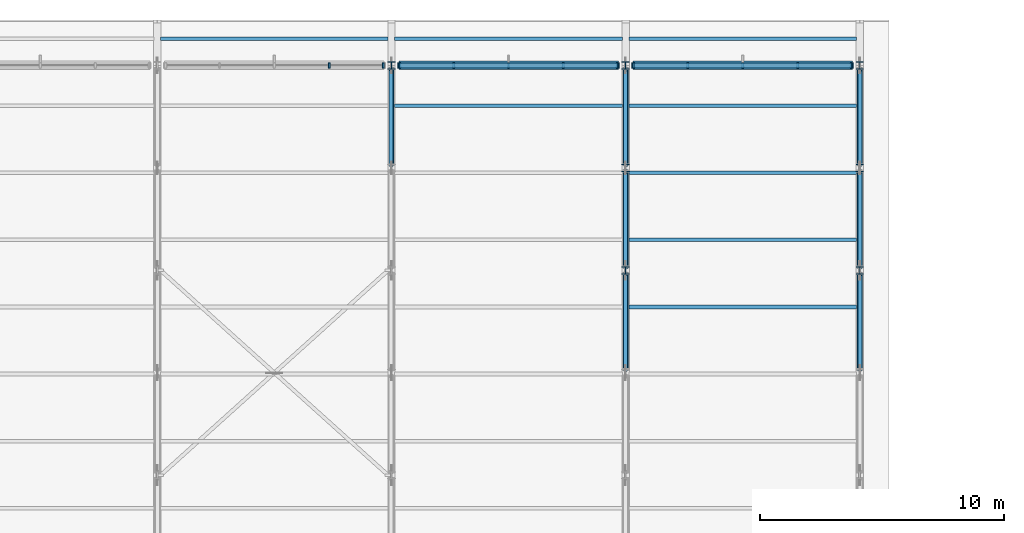
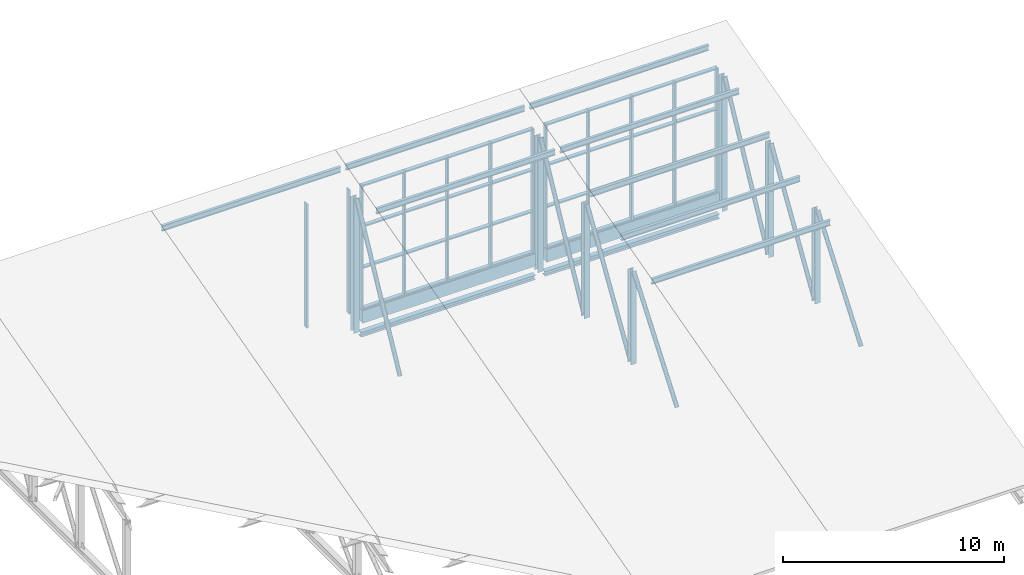
# One storey, part 8 of 37: 44 members, 2 beams, 3 elements without a shape of their own.
"""IFC4 building model written with IfcOpenShell, lengths in metres."""

import ifcopenshell
import ifcopenshell.guid

model = None  # the IFC model being written
_history = None  # IfcOwnerHistory: only IFC2X3 demands one
_inside = {}  # id of a spatial element -> (the spatial element, [elements in it])
_under = {}  # id of a project, library or spatial element -> (it, [spatial elements below it])
_declared = {}  # id of a project -> (the project, [libraries it declares])
_typed = {}  # id of a type object -> (the type object, [elements of that type])
_made_of = {}  # id of a material, layer set ... -> (it, [elements and type objects made of it])


def new_model(schema):
    """Start an empty IFC model of exactly this schema.

    Asked for "IFC4X3", IfcOpenShell would pick the latest addendum, in which some entities
    have other attributes; the version numbers below select the first issue.
    IFC2X3 requires an IfcOwnerHistory on every rooted entity: one is made here for all.
    """
    global model, _history
    if schema == "IFC4X3":
        model = ifcopenshell.file(schema_version=(4, 3, 0, 0))
    else:
        model = ifcopenshell.file(schema=schema)
    _inside.clear()
    _under.clear()
    _declared.clear()
    _typed.clear()
    _made_of.clear()
    _history = None
    if model.schema == "IFC2X3":
        org = make("IfcOrganization", Name="unknown")
        user = make(
            "IfcPersonAndOrganization",
            ThePerson=make("IfcPerson", FamilyName="unknown"),
            TheOrganization=org,
        )
        app = make(
            "IfcApplication",
            ApplicationDeveloper=org,
            Version="unknown",
            ApplicationFullName="unknown",
            ApplicationIdentifier="unknown",
        )
        _history = make(
            "IfcOwnerHistory",
            OwningUser=user,
            OwningApplication=app,
            ChangeAction="ADDED",
            CreationDate=0,
        )
    return model


def make(cls, **values):
    """One entity of the class cls with the attributes given. An attribute that is None is left unset."""
    return model.create_entity(
        cls, **{name: value for name, value in values.items() if value is not None}
    )


def rooted(cls, **values):
    """An entity with a GlobalId (a new one), such as an element, a storey or a relation."""
    return make(cls, GlobalId=ifcopenshell.guid.new(), OwnerHistory=_history, **values)


def si_unit(unit_type, name, prefix=None):
    """IfcSIUnit, for example si_unit("LENGTHUNIT", "METRE", prefix="MILLI")."""
    return make("IfcSIUnit", UnitType=unit_type, Prefix=prefix, Name=name)


def assignment(units):
    """IfcUnitAssignment: the units of a project."""
    return None if units is None else make("IfcUnitAssignment", Units=units)


def point(xyz):
    """IfcCartesianPoint."""
    return None if xyz is None else make("IfcCartesianPoint", Coordinates=xyz)


def direction(xyz):
    """IfcDirection."""
    return None if xyz is None else make("IfcDirection", DirectionRatios=xyz)


def frame(location, z_axis=None, x_axis=None):
    """IfcAxis2Placement3D, a coordinate frame: its origin and axes. An axis left out is left unset."""
    return make(
        "IfcAxis2Placement3D",
        Location=point(location),
        Axis=direction(z_axis),
        RefDirection=direction(x_axis),
    )


def frame_2d(location, x_axis=None):
    """IfcAxis2Placement2D, a coordinate frame in the plane: its origin and x axis."""
    return make(
        "IfcAxis2Placement2D", Location=point(location), RefDirection=direction(x_axis)
    )


def origin():
    """The frame at (0, 0, 0) with its axes left unset."""
    return frame((0.0, 0.0, 0.0))


def origin_2d():
    """The frame at (0, 0) in the plane with its x axis left unset."""
    return frame_2d((0.0, 0.0))


def place(relative_to, where):
    """IfcLocalPlacement: puts the frame where relative to a parent placement (None: the world)."""
    return make(
        "IfcLocalPlacement", PlacementRelTo=relative_to, RelativePlacement=where
    )


def context(
    kind, dimensions, precision=None, world=None, true_north=None, identifier=None
):
    """IfcGeometricRepresentationContext, for example the 3D "Model" context."""
    return make(
        "IfcGeometricRepresentationContext",
        ContextIdentifier=identifier,
        ContextType=kind,
        CoordinateSpaceDimension=dimensions,
        Precision=precision,
        WorldCoordinateSystem=world,
        TrueNorth=true_north,
    )


def subcontext(parent, identifier, kind, view, scale=None):
    """IfcGeometricRepresentationSubContext, for example "Body" below "Model"."""
    return make(
        "IfcGeometricRepresentationSubContext",
        ContextIdentifier=identifier,
        ContextType=kind,
        ParentContext=parent,
        TargetScale=scale,
        TargetView=view,
    )


def project(units=None, contexts=None):
    """IfcProject with its units and contexts."""
    return rooted(
        "IfcProject",
        Name="project",
        RepresentationContexts=contexts,
        UnitsInContext=assignment(units),
    )


def spatial(cls, under=None, at=None, **own):
    """A site, building, storey or space (cls), placed at a placement, below another one or the project."""
    s = rooted(cls, ObjectPlacement=at, **own)
    if under is not None:
        _under.setdefault(under.id(), (under, []))[1].append(s)
    return s


def profile(cls, at=None, kind="AREA", **sizes):
    """A parametric profile (cls). Its sizes go by their IFC names, for example OverallWidth=200.0."""
    return make(cls, ProfileType=kind, Position=at, **sizes)


def rectangle(**sizes):
    """IfcRectangleProfileDef."""
    return profile("IfcRectangleProfileDef", **sizes)


def hollow_circle(**sizes):
    """IfcCircleHollowProfileDef."""
    return profile("IfcCircleHollowProfileDef", **sizes)


def i_section(**sizes):
    """IfcIShapeProfileDef."""
    return profile("IfcIShapeProfileDef", **sizes)


def extrude(swept, where, along, depth):
    """IfcExtrudedAreaSolid: the profile swept, set in the frame where, extruded along a direction by depth."""
    return make(
        "IfcExtrudedAreaSolid",
        SweptArea=swept,
        Position=where,
        ExtrudedDirection=direction(along),
        Depth=depth,
    )


def shape(context_of_items, identifier, shape_type, items):
    """IfcShapeRepresentation: the items that make up one representation, for example the "Body"."""
    return make(
        "IfcShapeRepresentation",
        ContextOfItems=context_of_items,
        RepresentationIdentifier=identifier,
        RepresentationType=shape_type,
        Items=items,
    )


def material(Name=None, Category=None):
    """IfcMaterial."""
    return make("IfcMaterial", Name=Name, Category=Category)


def material_profile(
    of_material, cross_section, Name=None, Category=None, Priority=None
):
    """IfcMaterialProfile: a cross section and its material."""
    return make(
        "IfcMaterialProfile",
        Name=Name,
        Material=of_material,
        Profile=cross_section,
        Priority=Priority,
        Category=Category,
    )


def profile_set(profiles, Name=None, composite=None):
    """IfcMaterialProfileSet."""
    return make(
        "IfcMaterialProfileSet",
        Name=Name,
        MaterialProfiles=profiles,
        CompositeProfile=composite,
    )


def made_of(thing, what):
    """Note that an element or type object is made of a material, layer set ...; save() writes the relation."""
    if what is not None:
        _made_of.setdefault(what.id(), (what, []))[1].append(thing)
    return thing


def type_object(cls, material=None, **own):
    """A type object (cls), such as IfcWallType, which elements share."""
    return made_of(rooted(cls, **own), material)


def element(
    cls,
    number,
    at=None,
    inside=None,
    cuts=None,
    type_object=None,
    material=None,
    context=None,
    identifier="Body",
    shape_type=None,
    held_by="IfcProductDefinitionShape",
    body=None,
    shapes=None,
    **own,
):
    """One element of the class cls, such as IfcWall. Its Tag is "e" and its number.

    at: its placement. inside: the storey or other place that contains it. cuts: it is an
    opening in that element (IfcRelVoidsElement). A single representation is given by context,
    identifier, shape_type and body (its items); several are given by shapes. held_by: the class
    of the entity that holds the representations. save() writes the other relations.
    """
    e = rooted(cls, Tag="e%d" % number, ObjectPlacement=at, **own)
    if body is not None:
        shapes = [shape(context, identifier, shape_type, body)]
    if shapes is not None:
        e.Representation = make(held_by, Representations=shapes)
    if inside is not None:
        _inside.setdefault(inside.id(), (inside, []))[1].append(e)
    if cuts is not None:
        rooted(
            "IfcRelVoidsElement", RelatingBuildingElement=cuts, RelatedOpeningElement=e
        )
    if type_object is not None:
        _typed.setdefault(type_object.id(), (type_object, []))[1].append(e)
    return made_of(e, material)


def aggregate(whole, parts):
    """IfcRelAggregates: a whole, such as a stair, and the parts it consists of."""
    return rooted("IfcRelAggregates", RelatingObject=whole, RelatedObjects=parts)


def save(model, path):
    """Write the relations noted so far, then the file.

    IfcRelAggregates (storeys below a building ...), IfcRelContainedInSpatialStructure (elements
    in a storey), IfcRelDefinesByType, IfcRelAssociatesMaterial and IfcRelDeclares: one each for
    every whole, place, type object, material and project.
    """
    for whole, parts in _under.values():
        aggregate(whole, parts)
    for where, things in _inside.values():
        rooted(
            "IfcRelContainedInSpatialStructure",
            RelatedElements=things,
            RelatingStructure=where,
        )
    for kind, things in _typed.values():
        rooted("IfcRelDefinesByType", RelatedObjects=things, RelatingType=kind)
    for what, things in _made_of.values():
        rooted("IfcRelAssociatesMaterial", RelatedObjects=things, RelatingMaterial=what)
    for by, libraries in _declared.values():
        rooted("IfcRelDeclares", RelatingContext=by, RelatedDefinitions=libraries)
    model.write(path)


model = new_model("IFC4")

# Units and contexts
model_context = context("Model", 3, precision=1e-05, world=origin(), true_north=direction((0.0, 1.0)))
body_context = subcontext(model_context, "Body", "Model", "MODEL_VIEW")
ifc_project = project(units=[si_unit("LENGTHUNIT", "METRE"), si_unit("AREAUNIT", "SQUARE_METRE"), si_unit("VOLUMEUNIT", "CUBIC_METRE"), si_unit("PLANEANGLEUNIT", "RADIAN"), si_unit("MASSUNIT", "GRAM", prefix="KILO")], contexts=[model_context])

# Site, building, storey
site_placement = place(None, origin())
site = spatial("IfcSite", under=ifc_project, at=site_placement, CompositionType="ELEMENT")
building_placement = place(site_placement, origin())
building = spatial("IfcBuilding", under=site, at=building_placement, Name="Shalvenor Court Art Gallery", CompositionType="ELEMENT")
storey_placement = place(building_placement, frame((0.0, 0.0, 22.199951171875)))
storey = spatial("IfcBuildingStorey", under=building, at=storey_placement, Name="L04", CompositionType="ELEMENT", Elevation=22.199951171875)

# Curtain wall, members
ifc_material_1 = material(Name="Anodised aluminium and low-iron glass curtain wall", Category="aluminium")
curtain_wall_type = type_object("IfcCurtainWallType", Name="CW-NL-V2", PredefinedType="USERDEFINED", material=ifc_material_1)
curtain_wall_1_placement = place(storey_placement, origin())
curtain_wall_1 = element("IfcCurtainWall", 1, at=curtain_wall_1_placement, inside=storey, type_object=curtain_wall_type, Name="L04 V2 North Light Clerestory 5", ObjectType="CURTAIN WALL", PredefinedType="USERDEFINED")
ifc_material_2 = material(Name="Dark anodised bronze aluminium mullion", Category="aluminium")
ifc_material_profile_1 = material_profile(ifc_material_2, rectangle(XDim=0.080078125, YDim=0.239990234375, at=origin_2d()), Name="CWM-05")
ifc_profile_set_1 = profile_set([ifc_material_profile_1], Name="Dark anodised bronze aluminium mullion")
member_type_1 = type_object("IfcMemberType", Name="CWM-05", PredefinedType="MULLION", material=ifc_profile_set_1)
member_1_placement = place(storey_placement, frame((103.050048828125, 122.39990234375, 0.0), z_axis=(0.0, 0.0, 1.0), x_axis=(1.0, 0.0, 0.0)))
member_1 = element("IfcMember", 2, at=member_1_placement, type_object=member_type_1, Name="CW-NL-V2 mullion 4", PredefinedType="MULLION", context=body_context, shape_type="SweptSolid", body=[
    extrude(rectangle(XDim=0.080078125, YDim=0.239990234375, at=origin_2d()), origin(), (0.0, 0.0, 1.0), 6.85009765625),
])
member_2_placement = place(storey_placement, frame((105.260009765625, 122.39990234375, 0.0), z_axis=(0.0, 0.0, 1.0), x_axis=(1.0, 0.0, 0.0)))
member_2 = element("IfcMember", 3, at=member_2_placement, type_object=member_type_1, Name="CW-NL-V2 mullion 5", PredefinedType="MULLION", context=body_context, shape_type="SweptSolid", body=[
    extrude(rectangle(XDim=0.080078125, YDim=0.239990234375, at=origin_2d()), origin(), (0.0, 0.0, 1.0), 6.85009765625),
])
aggregate(curtain_wall_1, [member_1, member_2])

curtain_wall_2_placement = place(storey_placement, origin())
curtain_wall_2 = element("IfcCurtainWall", 4, at=curtain_wall_2_placement, inside=storey, type_object=curtain_wall_type, Name="L04 V2 North Light Clerestory 6", ObjectType="CURTAIN WALL", PredefinedType="USERDEFINED")
member_3_placement = place(storey_placement, frame((105.93994140625, 122.39990234375, 0.0), z_axis=(0.0, 0.0, 1.0), x_axis=(1.0, 0.0, 0.0)))
member_3 = element("IfcMember", 5, at=member_3_placement, type_object=member_type_1, Name="CW-NL-V2 mullion 1", PredefinedType="MULLION", context=body_context, shape_type="SweptSolid", body=[
    extrude(rectangle(XDim=0.080078125, YDim=0.239990234375, at=origin_2d()), origin(), (0.0, 0.0, 1.0), 6.85009765625),
])
member_4_placement = place(storey_placement, frame((108.14990234375, 122.39990234375, 0.0), z_axis=(0.0, 0.0, 1.0), x_axis=(1.0, 0.0, 0.0)))
member_4 = element("IfcMember", 6, at=member_4_placement, type_object=member_type_1, Name="CW-NL-V2 mullion 2", PredefinedType="MULLION", context=body_context, shape_type="SweptSolid", body=[
    extrude(rectangle(XDim=0.080078125, YDim=0.239990234375, at=origin_2d()), origin(), (0.0, 0.0, 1.0), 6.85009765625),
])
member_5_placement = place(storey_placement, frame((110.39990234375, 122.39990234375, 0.0), z_axis=(0.0, 0.0, 1.0), x_axis=(1.0, 0.0, 0.0)))
member_5 = element("IfcMember", 7, at=member_5_placement, type_object=member_type_1, Name="CW-NL-V2 mullion 3", PredefinedType="MULLION", context=body_context, shape_type="SweptSolid", body=[
    extrude(rectangle(XDim=0.080078125, YDim=0.239990234375, at=origin_2d()), origin(), (0.0, 0.0, 1.0), 6.85009765625),
])
member_6_placement = place(storey_placement, frame((112.64990234375, 122.39990234375, 0.0), z_axis=(0.0, 0.0, 1.0), x_axis=(1.0, 0.0, 0.0)))
member_6 = element("IfcMember", 8, at=member_6_placement, type_object=member_type_1, Name="CW-NL-V2 mullion 4", PredefinedType="MULLION", context=body_context, shape_type="SweptSolid", body=[
    extrude(rectangle(XDim=0.080078125, YDim=0.239990234375, at=origin_2d()), origin(), (0.0, 0.0, 1.0), 6.85009765625),
])
member_7_placement = place(storey_placement, frame((114.860107421875, 122.39990234375, 0.0), z_axis=(0.0, 0.0, 1.0), x_axis=(1.0, 0.0, 0.0)))
member_7 = element("IfcMember", 9, at=member_7_placement, type_object=member_type_1, Name="CW-NL-V2 mullion 5", PredefinedType="MULLION", context=body_context, shape_type="SweptSolid", body=[
    extrude(rectangle(XDim=0.080078125, YDim=0.239990234375, at=origin_2d()), origin(), (0.0, 0.0, 1.0), 6.85009765625),
])

curtain_wall_3_placement = place(storey_placement, origin())
curtain_wall_3 = element("IfcCurtainWall", 10, at=curtain_wall_3_placement, inside=storey, type_object=curtain_wall_type, Name="L04 V2 North Light Clerestory 7", ObjectType="CURTAIN WALL", PredefinedType="USERDEFINED")
member_8_placement = place(storey_placement, frame((115.5400390625, 122.39990234375, 0.0), z_axis=(0.0, 0.0, 1.0), x_axis=(1.0, 0.0, 0.0)))
member_8 = element("IfcMember", 11, at=member_8_placement, type_object=member_type_1, Name="CW-NL-V2 mullion 1", PredefinedType="MULLION", context=body_context, shape_type="SweptSolid", body=[
    extrude(rectangle(XDim=0.080078125, YDim=0.239990234375, at=origin_2d()), origin(), (0.0, 0.0, 1.0), 6.85009765625),
])
member_9_placement = place(storey_placement, frame((117.75, 122.39990234375, 0.0), z_axis=(0.0, 0.0, 1.0), x_axis=(1.0, 0.0, 0.0)))
member_9 = element("IfcMember", 12, at=member_9_placement, type_object=member_type_1, Name="CW-NL-V2 mullion 2", PredefinedType="MULLION", context=body_context, shape_type="SweptSolid", body=[
    extrude(rectangle(XDim=0.080078125, YDim=0.239990234375, at=origin_2d()), origin(), (0.0, 0.0, 1.0), 6.85009765625),
])
member_10_placement = place(storey_placement, frame((120.0, 122.39990234375, 0.0), z_axis=(0.0, 0.0, 1.0), x_axis=(1.0, 0.0, 0.0)))
member_10 = element("IfcMember", 13, at=member_10_placement, type_object=member_type_1, Name="CW-NL-V2 mullion 3", PredefinedType="MULLION", context=body_context, shape_type="SweptSolid", body=[
    extrude(rectangle(XDim=0.080078125, YDim=0.239990234375, at=origin_2d()), origin(), (0.0, 0.0, 1.0), 6.85009765625),
])
member_11_placement = place(storey_placement, frame((122.25, 122.39990234375, 0.0), z_axis=(0.0, 0.0, 1.0), x_axis=(1.0, 0.0, 0.0)))
member_11 = element("IfcMember", 14, at=member_11_placement, type_object=member_type_1, Name="CW-NL-V2 mullion 4", PredefinedType="MULLION", context=body_context, shape_type="SweptSolid", body=[
    extrude(rectangle(XDim=0.080078125, YDim=0.239990234375, at=origin_2d()), origin(), (0.0, 0.0, 1.0), 6.85009765625),
])
member_12_placement = place(storey_placement, frame((124.4599609375, 122.39990234375, 0.0), z_axis=(0.0, 0.0, 1.0), x_axis=(1.0, 0.0, 0.0)))
member_12 = element("IfcMember", 15, at=member_12_placement, type_object=member_type_1, Name="CW-NL-V2 mullion 5", PredefinedType="MULLION", context=body_context, shape_type="SweptSolid", body=[
    extrude(rectangle(XDim=0.080078125, YDim=0.239990234375, at=origin_2d()), origin(), (0.0, 0.0, 1.0), 6.85009765625),
])

# Member
ifc_material_3 = material(Name="Dark anodised bronze aluminium transom", Category="aluminium")
ifc_material_profile_2 = material_profile(ifc_material_3, rectangle(XDim=0.2099609375, YDim=0.074951171875, at=origin_2d()), Name="CWT-05")
ifc_profile_set_2 = profile_set([ifc_material_profile_2], Name="Dark anodised bronze aluminium transom")
member_type_2 = type_object("IfcMemberType", Name="CWT-05", PredefinedType="USERDEFINED", material=ifc_profile_set_2)
member_13_placement = place(storey_placement, frame((105.93994140625, 122.39990234375, 0.03759765625), z_axis=(1.0, 0.0, 0.0), x_axis=(0.0, 1.0, 0.0)))
member_13 = element("IfcMember", 16, at=member_13_placement, type_object=member_type_2, Name="CW-NL-V2 transom 1", ObjectType="TRANSOM", PredefinedType="USERDEFINED", context=body_context, shape_type="SweptSolid", body=[
    extrude(rectangle(XDim=0.2099609375, YDim=0.074951171875, at=origin_2d()), origin(), (0.0, 0.0, 1.0), 8.920166015625),
])

member_14_placement = place(storey_placement, frame((105.93994140625, 122.39990234375, 2.283447265625), z_axis=(1.0, 0.0, 0.0), x_axis=(0.0, 1.0, 0.0)))
member_14 = element("IfcMember", 17, at=member_14_placement, type_object=member_type_2, Name="CW-NL-V2 transom 2", ObjectType="TRANSOM", PredefinedType="USERDEFINED", context=body_context, shape_type="SweptSolid", body=[
    extrude(rectangle(XDim=0.2099609375, YDim=0.074951171875, at=origin_2d()), origin(), (0.0, 0.0, 1.0), 8.920166015625),
])

member_15_placement = place(storey_placement, frame((105.93994140625, 122.39990234375, 4.566650390625), z_axis=(1.0, 0.0, 0.0), x_axis=(0.0, 1.0, 0.0)))
member_15 = element("IfcMember", 18, at=member_15_placement, type_object=member_type_2, Name="CW-NL-V2 transom 3", ObjectType="TRANSOM", PredefinedType="USERDEFINED", context=body_context, shape_type="SweptSolid", body=[
    extrude(rectangle(XDim=0.2099609375, YDim=0.074951171875, at=origin_2d()), origin(), (0.0, 0.0, 1.0), 8.920166015625),
])

member_16_placement = place(storey_placement, frame((105.93994140625, 122.39990234375, 6.8125), z_axis=(1.0, 0.0, 0.0), x_axis=(0.0, 1.0, 0.0)))
member_16 = element("IfcMember", 19, at=member_16_placement, type_object=member_type_2, Name="CW-NL-V2 transom 4", ObjectType="TRANSOM", PredefinedType="USERDEFINED", context=body_context, shape_type="SweptSolid", body=[
    extrude(rectangle(XDim=0.2099609375, YDim=0.074951171875, at=origin_2d()), origin(), (0.0, 0.0, 1.0), 8.920166015625),
])

aggregate(curtain_wall_2, [member_3, member_4, member_5, member_6, member_7, member_13, member_14, member_15, member_16])

member_17_placement = place(storey_placement, frame((115.5400390625, 122.39990234375, 0.03759765625), z_axis=(1.0, 0.0, 0.0), x_axis=(0.0, 1.0, 0.0)))
member_17 = element("IfcMember", 20, at=member_17_placement, type_object=member_type_2, Name="CW-NL-V2 transom 1", ObjectType="TRANSOM", PredefinedType="USERDEFINED", context=body_context, shape_type="SweptSolid", body=[
    extrude(rectangle(XDim=0.2099609375, YDim=0.074951171875, at=origin_2d()), origin(), (0.0, 0.0, 1.0), 8.919921875),
])

member_18_placement = place(storey_placement, frame((115.5400390625, 122.39990234375, 2.283447265625), z_axis=(1.0, 0.0, 0.0), x_axis=(0.0, 1.0, 0.0)))
member_18 = element("IfcMember", 21, at=member_18_placement, type_object=member_type_2, Name="CW-NL-V2 transom 2", ObjectType="TRANSOM", PredefinedType="USERDEFINED", context=body_context, shape_type="SweptSolid", body=[
    extrude(rectangle(XDim=0.2099609375, YDim=0.074951171875, at=origin_2d()), origin(), (0.0, 0.0, 1.0), 8.919921875),
])

member_19_placement = place(storey_placement, frame((115.5400390625, 122.39990234375, 4.566650390625), z_axis=(1.0, 0.0, 0.0), x_axis=(0.0, 1.0, 0.0)))
member_19 = element("IfcMember", 22, at=member_19_placement, type_object=member_type_2, Name="CW-NL-V2 transom 3", ObjectType="TRANSOM", PredefinedType="USERDEFINED", context=body_context, shape_type="SweptSolid", body=[
    extrude(rectangle(XDim=0.2099609375, YDim=0.074951171875, at=origin_2d()), origin(), (0.0, 0.0, 1.0), 8.919921875),
])

member_20_placement = place(storey_placement, frame((115.5400390625, 122.39990234375, 6.8125), z_axis=(1.0, 0.0, 0.0), x_axis=(0.0, 1.0, 0.0)))
member_20 = element("IfcMember", 23, at=member_20_placement, type_object=member_type_2, Name="CW-NL-V2 transom 4", ObjectType="TRANSOM", PredefinedType="USERDEFINED", context=body_context, shape_type="SweptSolid", body=[
    extrude(rectangle(XDim=0.2099609375, YDim=0.074951171875, at=origin_2d()), origin(), (0.0, 0.0, 1.0), 8.919921875),
])

aggregate(curtain_wall_3, [member_8, member_9, member_10, member_11, member_12, member_17, member_18, member_19, member_20])

# Members
ifc_material_4 = material(Name="Steel S355", Category="steel")
ifc_material_profile_3 = material_profile(ifc_material_4, i_section(OverallWidth=0.14990234375, OverallDepth=0.300048828125, WebThickness=0.007080078125, FlangeThickness=0.0107421875, at=origin_2d()), Name="IPE 300")
ifc_profile_set_3 = profile_set([ifc_material_profile_3], Name="Steel S355")
member_type_3 = type_object("IfcMemberType", Name="PR-01", PredefinedType="PURLIN", material=ifc_profile_set_3)
member_21_placement = place(storey_placement, frame((105.735107421875, 120.75, 6.459228515625), z_axis=(1.0, 0.0, 0.0), x_axis=(0.0, 1.0, 0.0)))
element("IfcMember", 24, at=member_21_placement, inside=storey, type_object=member_type_3, Name="L04 V2 Roof Purlin 6.10", PredefinedType="PURLIN", context=body_context, shape_type="SweptSolid", body=[
    extrude(i_section(OverallWidth=0.14990234375, OverallDepth=0.300048828125, WebThickness=0.007080078125, FlangeThickness=0.0107421875, at=origin_2d()), origin(), (0.0, 0.0, 1.0), 9.329833984375),
])
for number, where, z_axis, x_axis, name in (
    (25, (115.3349609375, 112.5, 4.224853515625), (1.0, 0.0, 0.0), (0.0, 1.0, 0.0), "L04 V2 Roof Purlin 7.7"),
    (26, (115.3349609375, 115.25, 4.9697265625), (1.0, 0.0, 0.0), (0.0, 1.0, 0.0), "L04 V2 Roof Purlin 7.8"),
    (27, (115.3349609375, 118.0, 5.714599609375), (1.0, 0.0, 0.0), (0.0, 1.0, 0.0), "L04 V2 Roof Purlin 7.9"),
    (28, (115.3349609375, 120.75, 6.459228515625), (1.0, 0.0, 0.0), (0.0, 1.0, 0.0), "L04 V2 Roof Purlin 7.10"),
):
    element("IfcMember", number, at=place(storey_placement, frame(where, z_axis=z_axis, x_axis=x_axis)), inside=storey, type_object=member_type_3, Name=name, PredefinedType="PURLIN", context=body_context, shape_type="SweptSolid", body=[
        extrude(i_section(OverallWidth=0.14990234375, OverallDepth=0.300048828125, WebThickness=0.007080078125, FlangeThickness=0.0107421875, at=origin_2d()), origin(), (0.0, 0.0, 1.0), 9.330078125),
    ])
ifc_material_5 = material(Name="Steel S355", Category="steel")
ifc_material_profile_4 = material_profile(ifc_material_5, i_section(OverallWidth=0.14990234375, OverallDepth=0.300048828125, WebThickness=0.007080078125, FlangeThickness=0.0107421875, at=origin_2d()), Name="IPE 300")
ifc_profile_set_4 = profile_set([ifc_material_profile_4], Name="Steel S355")
member_type_4 = type_object("IfcMemberType", Name="PR-03", PredefinedType="PURLIN", material=ifc_profile_set_4)
member_22_placement = place(storey_placement, frame((96.135009765625, 123.5, 7.2041015625), z_axis=(1.0, 0.0, 0.0), x_axis=(0.0, 1.0, 0.0)))
element("IfcMember", 29, at=member_22_placement, inside=storey, type_object=member_type_4, Name="L04 V2 Roof Purlin 5.11", PredefinedType="PURLIN", context=body_context, shape_type="SweptSolid", body=[
    extrude(i_section(OverallWidth=0.14990234375, OverallDepth=0.300048828125, WebThickness=0.007080078125, FlangeThickness=0.0107421875, at=origin_2d()), origin(), (0.0, 0.0, 1.0), 9.330078125),
])
member_23_placement = place(storey_placement, frame((105.735107421875, 123.5, 7.2041015625), z_axis=(1.0, 0.0, 0.0), x_axis=(0.0, 1.0, 0.0)))
element("IfcMember", 30, at=member_23_placement, inside=storey, type_object=member_type_4, Name="L04 V2 Roof Purlin 6.11", PredefinedType="PURLIN", context=body_context, shape_type="SweptSolid", body=[
    extrude(i_section(OverallWidth=0.14990234375, OverallDepth=0.300048828125, WebThickness=0.007080078125, FlangeThickness=0.0107421875, at=origin_2d()), origin(), (0.0, 0.0, 1.0), 9.329833984375),
])
member_24_placement = place(storey_placement, frame((115.3349609375, 123.5, 7.2041015625), z_axis=(1.0, 0.0, 0.0), x_axis=(0.0, 1.0, 0.0)))
element("IfcMember", 31, at=member_24_placement, inside=storey, type_object=member_type_4, Name="L04 V2 Roof Purlin 7.11", PredefinedType="PURLIN", context=body_context, shape_type="SweptSolid", body=[
    extrude(i_section(OverallWidth=0.14990234375, OverallDepth=0.300048828125, WebThickness=0.007080078125, FlangeThickness=0.0107421875, at=origin_2d()), origin(), (0.0, 0.0, 1.0), 9.330078125),
])

# Beams
ifc_material_6 = material(Name="Concrete C40/50", Category="concrete")
ifc_material_profile_5 = material_profile(ifc_material_6, rectangle(XDim=0.35009765625, YDim=0.699951171875, at=origin_2d()), Name="RC 350x700")
ifc_profile_set_5 = profile_set([ifc_material_profile_5], Name="Concrete C40/50")
beam_type = type_object("IfcBeamType", Name="SP-01", PredefinedType="SPANDREL", material=ifc_profile_set_5)
for number, where, z_axis, x_axis, name in (
    (32, (105.89990234375, 122.39990234375, -0.349853515625), (1.0, 0.0, 0.0), (0.0, 1.0, 0.0), "L04 Spandrel Girder BM-L04-SP-01-1253"),
    (33, (115.5, 122.39990234375, -0.349853515625), (1.0, 0.0, 0.0), (0.0, 1.0, 0.0), "L04 Spandrel Girder BM-L04-SP-01-1254"),
):
    element("IfcBeam", number, at=place(storey_placement, frame(where, z_axis=z_axis, x_axis=x_axis)), inside=storey, type_object=beam_type, Name=name, PredefinedType="SPANDREL", context=body_context, shape_type="SweptSolid", body=[
        extrude(rectangle(XDim=0.35009765625, YDim=0.699951171875, at=origin_2d()), origin(), (0.0, 0.0, 1.0), 9.0),
    ])

# Members
ifc_material_7 = material(Name="Steel S355", Category="steel")
ifc_material_profile_6 = material_profile(ifc_material_7, i_section(OverallWidth=0.260009765625, OverallDepth=0.260009765625, WebThickness=0.010009765625, FlangeThickness=0.017578125, at=origin_2d()), Name="HEB 260")
ifc_profile_set_6 = profile_set([ifc_material_profile_6], Name="Steel S355")
member_type_5 = type_object("IfcMemberType", Name="TM-C1", PredefinedType="CHORD", material=ifc_profile_set_6)
member_25_placement = place(storey_placement, frame((105.85009765625, 122.39990234375, -1.349853515625), z_axis=(1.0, 0.0, 0.0), x_axis=(0.0, 1.0, 0.0)))
element("IfcMember", 34, at=member_25_placement, inside=storey, type_object=member_type_5, Name="L04 V2 Eave Truss Chord Tie 6.2", PredefinedType="CHORD", context=body_context, shape_type="SweptSolid", body=[
    extrude(i_section(OverallWidth=0.260009765625, OverallDepth=0.260009765625, WebThickness=0.010009765625, FlangeThickness=0.017578125, at=origin_2d()), origin(), (0.0, 0.0, 1.0), 9.099853515625),
])
member_26_placement = place(storey_placement, frame((115.449951171875, 122.39990234375, -1.349853515625), z_axis=(1.0, 0.0, 0.0), x_axis=(0.0, 1.0, 0.0)))
element("IfcMember", 35, at=member_26_placement, inside=storey, type_object=member_type_5, Name="L04 V2 Eave Truss Chord Tie 7.2", PredefinedType="CHORD", context=body_context, shape_type="SweptSolid", body=[
    extrude(i_section(OverallWidth=0.260009765625, OverallDepth=0.260009765625, WebThickness=0.010009765625, FlangeThickness=0.017578125, at=origin_2d()), origin(), (0.0, 0.0, 1.0), 9.10009765625),
])
ifc_material_8 = material(Name="Steel S355", Category="steel")
ifc_material_profile_7 = material_profile(ifc_material_8, hollow_circle(Radius=0.109619140625, WallThickness=0.010009765625, at=origin_2d()), Name="CHS 219.1x10.0")
ifc_profile_set_7 = profile_set([ifc_material_profile_7], Name="Steel S355")
member_type_6 = type_object("IfcMemberType", Name="TM-D1", PredefinedType="BRACE", material=ifc_profile_set_7)
member_27_placement = place(storey_placement, frame((105.60009765625, 118.340087890625, -1.135009765625), z_axis=(0.0, 0.467153650575, 0.884176151428), x_axis=(-1.0, 0.0, 0.0)))
element("IfcMember", 36, at=member_27_placement, inside=storey, type_object=member_type_6, Name="TR-V2-06 Roof Truss Diagonal 6", PredefinedType="BRACE", context=body_context, shape_type="SweptSolid", body=[
    extrude(hollow_circle(Radius=0.109619140625, WallThickness=0.010009765625, at=origin_2d()), origin(), (0.0, 0.0, 1.0), 8.39111328125),
])
member_28_placement = place(storey_placement, frame((115.199951171875, 109.93994140625, -1.135009765625), z_axis=(0.0, 0.606112588318, 0.79537885959), x_axis=(-1.0, 0.0, 0.0)))
element("IfcMember", 37, at=member_28_placement, inside=storey, type_object=member_type_6, Name="TR-V2-07 Roof Truss Diagonal 4", PredefinedType="BRACE", context=body_context, shape_type="SweptSolid", body=[
    extrude(hollow_circle(Radius=0.109619140625, WallThickness=0.010009765625, at=origin_2d()), origin(), (0.0, 0.0, 1.0), 6.4677734375),
])
member_29_placement = place(storey_placement, frame((115.199951171875, 114.139892578125, -1.135009765625), z_axis=(0.0, 0.529423853973, 0.848357461713), x_axis=(-1.0, 0.0, 0.0)))
element("IfcMember", 38, at=member_29_placement, inside=storey, type_object=member_type_6, Name="TR-V2-07 Roof Truss Diagonal 5", PredefinedType="BRACE", context=body_context, shape_type="SweptSolid", body=[
    extrude(hollow_circle(Radius=0.109619140625, WallThickness=0.010009765625, at=origin_2d()), origin(), (0.0, 0.0, 1.0), 7.404541015625),
])
member_30_placement = place(storey_placement, frame((115.199951171875, 118.340087890625, -1.135009765625), z_axis=(0.0, 0.467153650575, 0.884176151428), x_axis=(-1.0, 0.0, 0.0)))
element("IfcMember", 39, at=member_30_placement, inside=storey, type_object=member_type_6, Name="TR-V2-07 Roof Truss Diagonal 6", PredefinedType="BRACE", context=body_context, shape_type="SweptSolid", body=[
    extrude(hollow_circle(Radius=0.109619140625, WallThickness=0.010009765625, at=origin_2d()), origin(), (0.0, 0.0, 1.0), 8.39111328125),
])
member_31_placement = place(storey_placement, frame((124.800048828125, 109.93994140625, -1.135009765625), z_axis=(0.0, 0.606112588318, 0.79537885959), x_axis=(-1.0, 0.0, 0.0)))
element("IfcMember", 40, at=member_31_placement, inside=storey, type_object=member_type_6, Name="TR-V2-08 Roof Truss Diagonal 4", PredefinedType="BRACE", context=body_context, shape_type="SweptSolid", body=[
    extrude(hollow_circle(Radius=0.109619140625, WallThickness=0.010009765625, at=origin_2d()), origin(), (0.0, 0.0, 1.0), 6.4677734375),
])
member_32_placement = place(storey_placement, frame((124.800048828125, 114.139892578125, -1.135009765625), z_axis=(0.0, 0.529423853973, 0.848357461713), x_axis=(-1.0, 0.0, 0.0)))
element("IfcMember", 41, at=member_32_placement, inside=storey, type_object=member_type_6, Name="TR-V2-08 Roof Truss Diagonal 5", PredefinedType="BRACE", context=body_context, shape_type="SweptSolid", body=[
    extrude(hollow_circle(Radius=0.109619140625, WallThickness=0.010009765625, at=origin_2d()), origin(), (0.0, 0.0, 1.0), 7.404541015625),
])
member_33_placement = place(storey_placement, frame((124.800048828125, 118.340087890625, -1.135009765625), z_axis=(0.0, 0.467153650575, 0.884176151428), x_axis=(-1.0, 0.0, 0.0)))
element("IfcMember", 42, at=member_33_placement, inside=storey, type_object=member_type_6, Name="TR-V2-08 Roof Truss Diagonal 6", PredefinedType="BRACE", context=body_context, shape_type="SweptSolid", body=[
    extrude(hollow_circle(Radius=0.109619140625, WallThickness=0.010009765625, at=origin_2d()), origin(), (0.0, 0.0, 1.0), 8.39111328125),
])
ifc_material_9 = material(Name="Steel S355", Category="steel")
ifc_material_profile_8 = material_profile(ifc_material_9, i_section(OverallWidth=0.300048828125, OverallDepth=0.300048828125, WebThickness=0.010986328125, FlangeThickness=0.01904296875, at=origin_2d()), Name="HEB 300")
ifc_profile_set_8 = profile_set([ifc_material_profile_8], Name="Steel S355")
member_type_7 = type_object("IfcMemberType", Name="TM-V2", PredefinedType="STRUT", material=ifc_profile_set_8)
member_34_placement = place(storey_placement, frame((105.60009765625, 122.39990234375, -1.1298828125), z_axis=(0.0, 0.0, 1.0), x_axis=(1.0, 0.0, 0.0)))
element("IfcMember", 43, at=member_34_placement, inside=storey, type_object=member_type_7, Name="TR-V2-06 Roof Truss Vertical 7", PredefinedType="STRUT", context=body_context, shape_type="SweptSolid", body=[
    extrude(i_section(OverallWidth=0.300048828125, OverallDepth=0.300048828125, WebThickness=0.010986328125, FlangeThickness=0.01904296875, at=origin_2d()), origin(), (0.0, 0.0, 1.0), 7.4091796875),
])
member_35_placement = place(storey_placement, frame((115.199951171875, 114.0, -1.1298828125), z_axis=(0.0, 0.0, 1.0), x_axis=(1.0, 0.0, 0.0)))
element("IfcMember", 44, at=member_35_placement, inside=storey, type_object=member_type_7, Name="TR-V2-07 Roof Truss Vertical 5", PredefinedType="STRUT", context=body_context, shape_type="SweptSolid", body=[
    extrude(i_section(OverallWidth=0.300048828125, OverallDepth=0.300048828125, WebThickness=0.010986328125, FlangeThickness=0.01904296875, at=origin_2d()), origin(), (0.0, 0.0, 1.0), 5.134033203125),
])
member_36_placement = place(storey_placement, frame((115.199951171875, 118.199951171875, -1.1298828125), z_axis=(0.0, 0.0, 1.0), x_axis=(1.0, 0.0, 0.0)))
element("IfcMember", 45, at=member_36_placement, inside=storey, type_object=member_type_7, Name="TR-V2-07 Roof Truss Vertical 6", PredefinedType="STRUT", context=body_context, shape_type="SweptSolid", body=[
    extrude(i_section(OverallWidth=0.300048828125, OverallDepth=0.300048828125, WebThickness=0.010986328125, FlangeThickness=0.01904296875, at=origin_2d()), origin(), (0.0, 0.0, 1.0), 6.271728515625),
])
member_37_placement = place(storey_placement, frame((115.199951171875, 122.39990234375, -1.1298828125), z_axis=(0.0, 0.0, 1.0), x_axis=(1.0, 0.0, 0.0)))
element("IfcMember", 46, at=member_37_placement, inside=storey, type_object=member_type_7, Name="TR-V2-07 Roof Truss Vertical 7", PredefinedType="STRUT", context=body_context, shape_type="SweptSolid", body=[
    extrude(i_section(OverallWidth=0.300048828125, OverallDepth=0.300048828125, WebThickness=0.010986328125, FlangeThickness=0.01904296875, at=origin_2d()), origin(), (0.0, 0.0, 1.0), 7.4091796875),
])
member_38_placement = place(storey_placement, frame((124.800048828125, 114.0, -1.1298828125), z_axis=(0.0, 0.0, 1.0), x_axis=(1.0, 0.0, 0.0)))
element("IfcMember", 47, at=member_38_placement, inside=storey, type_object=member_type_7, Name="TR-V2-08 Roof Truss Vertical 5", PredefinedType="STRUT", context=body_context, shape_type="SweptSolid", body=[
    extrude(i_section(OverallWidth=0.300048828125, OverallDepth=0.300048828125, WebThickness=0.010986328125, FlangeThickness=0.01904296875, at=origin_2d()), origin(), (0.0, 0.0, 1.0), 5.134033203125),
])
member_39_placement = place(storey_placement, frame((124.800048828125, 118.199951171875, -1.1298828125), z_axis=(0.0, 0.0, 1.0), x_axis=(1.0, 0.0, 0.0)))
element("IfcMember", 48, at=member_39_placement, inside=storey, type_object=member_type_7, Name="TR-V2-08 Roof Truss Vertical 6", PredefinedType="STRUT", context=body_context, shape_type="SweptSolid", body=[
    extrude(i_section(OverallWidth=0.300048828125, OverallDepth=0.300048828125, WebThickness=0.010986328125, FlangeThickness=0.01904296875, at=origin_2d()), origin(), (0.0, 0.0, 1.0), 6.271728515625),
])
member_40_placement = place(storey_placement, frame((124.800048828125, 122.39990234375, -1.1298828125), z_axis=(0.0, 0.0, 1.0), x_axis=(1.0, 0.0, 0.0)))
element("IfcMember", 49, at=member_40_placement, inside=storey, type_object=member_type_7, Name="TR-V2-08 Roof Truss Vertical 7", PredefinedType="STRUT", context=body_context, shape_type="SweptSolid", body=[
    extrude(i_section(OverallWidth=0.300048828125, OverallDepth=0.300048828125, WebThickness=0.010986328125, FlangeThickness=0.01904296875, at=origin_2d()), origin(), (0.0, 0.0, 1.0), 7.4091796875),
])

save(model, "model.ifc")
